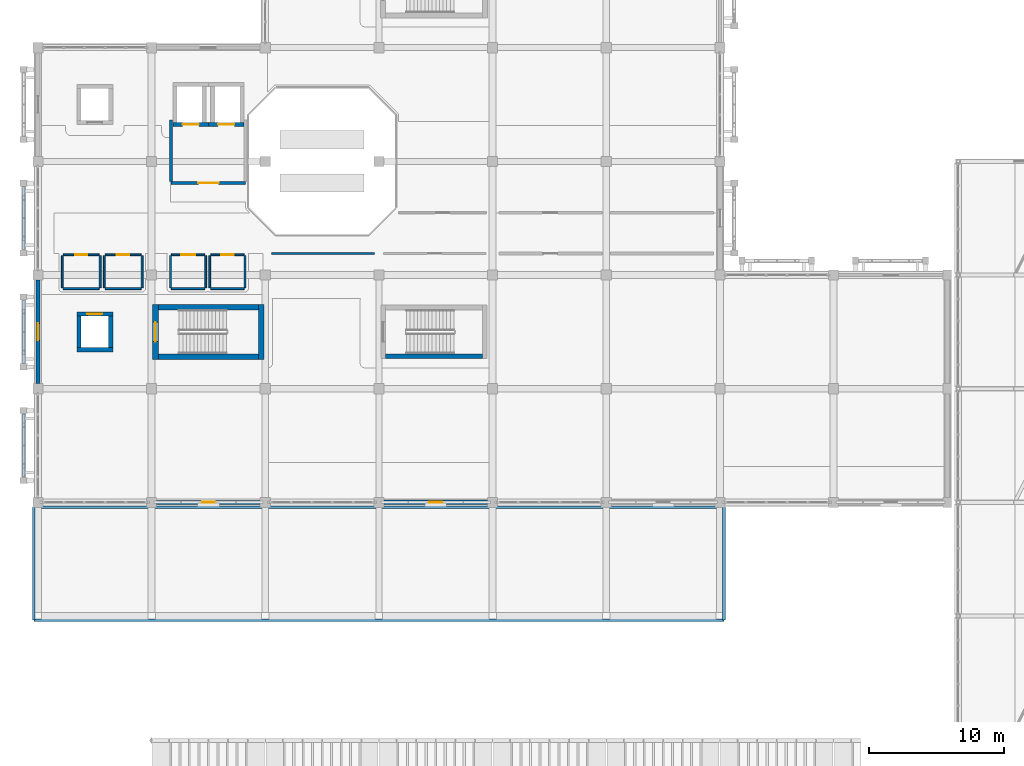
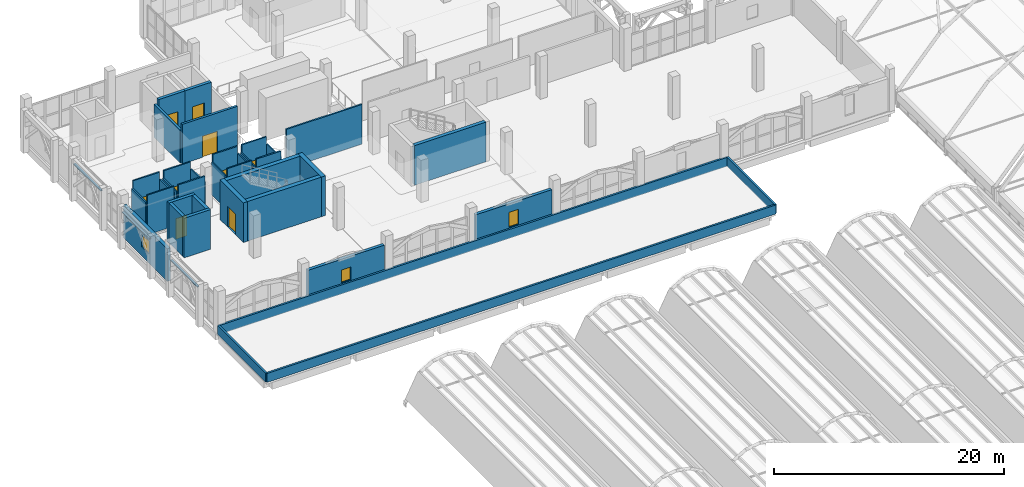
# One storey, part 103 of 114: 40 walls, 9 doors, 3 windows, 12 openings.
"""IFC4 building model written with IfcOpenShell, lengths in metres."""

from ifc_helpers import new_model, si_unit, direction, frame, frame_2d, origin, place, context, subcontext, project, spatial, rectangle, extrude, material, layer, layer_set, type_object, element, fill, save


model = new_model("IFC4")

# Units and contexts
model_context = context("Model", 3, precision=1e-05, world=origin(), true_north=direction((0.0, 1.0)))
body_context = subcontext(model_context, "Body", "Model", "MODEL_VIEW")
ifc_project = project(units=[si_unit("LENGTHUNIT", "METRE"), si_unit("AREAUNIT", "SQUARE_METRE"), si_unit("VOLUMEUNIT", "CUBIC_METRE"), si_unit("PLANEANGLEUNIT", "RADIAN"), si_unit("MASSUNIT", "GRAM", prefix="KILO")], contexts=[model_context])

# Site, building, storey
site_placement = place(None, origin())
site = spatial("IfcSite", under=ifc_project, at=site_placement, CompositionType="ELEMENT")
building_placement = place(site_placement, origin())
building = spatial("IfcBuilding", under=site, at=building_placement, Name="Xazarin Passage Department Store", CompositionType="ELEMENT")
storey_placement = place(building_placement, frame((0.0, 0.0, 14.39990234375)))
storey = spatial("IfcBuildingStorey", under=building, at=storey_placement, Name="L03", CompositionType="ELEMENT", Elevation=14.39990234375)

# Wall, opening, window
ifc_material_1 = material(Name="Precast concrete C40/50", Category="concrete")
ifc_layer_1 = layer(ifc_material_1, 0.300048828125)
ifc_layer_set_1 = layer_set([ifc_layer_1], Name="Precast concrete C40/50")
wall_type_1 = type_object("IfcWallType", Name="ARC-W-EXT300", PredefinedType="SOLIDWALL", material=ifc_layer_set_1)
wall_1_placement = place(storey_placement, frame((8.77490234375, 68.0, 0.0), z_axis=(0.0, 0.0, 1.0), x_axis=(1.0, 0.0, 0.0)))
wall_1 = element("IfcWall", 1, at=wall_1_placement, inside=storey, type_object=wall_type_1, Name="L03 V1 Exterior Wall 035", PredefinedType="SOLIDWALL", context=body_context, shape_type="SweptSolid", body=[
    extrude(rectangle(XDim=7.650146484375, YDim=0.300048828125, at=frame_2d((3.8251953125, 0.0))), origin(), (0.0, 0.0, 1.0), 3.4501953125),
])
opening_1_placement = place(wall_1_placement, frame((3.35009765625, 0.0, 0.949951171875)))
opening_1 = element("IfcOpeningElement", 2, at=opening_1_placement, cuts=wall_1, Name="Opening W01", PredefinedType="OPENING", context=body_context, shape_type="SweptSolid", body=[
    extrude(rectangle(XDim=0.949951171875, YDim=1.35009765625, at=frame_2d((0.47509765625, 0.675048828125))), frame((0.0, 0.159912109375, 0.0), z_axis=(0.0, -1.0, 0.0), x_axis=(1.0, 0.0, 0.0)), (0.0, 0.0, 1.0), 0.320068359375),
])
ifc_material_2 = material(Name="Low-E laminated safety glass", Category="glass")
window_type_1 = type_object("IfcWindowType", Name="ARC-WIN-W01", PartitioningType="SINGLE_PANEL", PredefinedType="WINDOW", material=ifc_material_2)
window_1_placement = place(opening_1_placement, origin())
window_1 = element("IfcWindow", 3, at=window_1_placement, inside=storey, type_object=window_type_1, Name="L03 V1 Facade Window 0001", OverallHeight=1.35009765625, OverallWidth=0.949951171875, PartitioningType="SINGLE_PANEL", PredefinedType="WINDOW", context=body_context, shape_type="SweptSolid", body=[
    extrude(rectangle(XDim=0.949951171875, YDim=1.35009765625, at=frame_2d((0.47509765625, 0.675048828125))), frame((0.0, 0.030029296875, 0.0), z_axis=(0.0, -1.0, 0.0), x_axis=(1.0, 0.0, 0.0)), (0.0, 0.0, 1.0), 0.06005859375),
])
fill(opening_1, window_1)

ifc_material_3 = material(Name="Buff Baku clay brick", Category="masonry")
ifc_layer_2 = layer(ifc_material_3, 0.320068359375)
ifc_layer_set_2 = layer_set([ifc_layer_2], Name="Buff Baku clay brick")
wall_type_2 = type_object("IfcWallType", Name="ARC-W-EXT320", PredefinedType="SOLIDWALL", material=ifc_layer_set_2)
wall_2_placement = place(storey_placement, frame((25.574951171875, 68.0, 0.0), z_axis=(0.0, 0.0, 1.0), x_axis=(1.0, 0.0, 0.0)))
wall_2 = element("IfcWall", 4, at=wall_2_placement, inside=storey, type_object=wall_type_2, Name="L03 V1 Exterior Wall 036", PredefinedType="SOLIDWALL", context=body_context, shape_type="SweptSolid", body=[
    extrude(rectangle(XDim=7.650146484375, YDim=0.320068359375, at=frame_2d((3.8251953125, 0.0))), origin(), (0.0, 0.0, 1.0), 3.4501953125),
])
opening_2_placement = place(wall_2_placement, frame((3.35009765625, 0.0, 0.949951171875)))
opening_2 = element("IfcOpeningElement", 5, at=opening_2_placement, cuts=wall_2, Name="Opening W02", PredefinedType="OPENING", context=body_context, shape_type="SweptSolid", body=[
    extrude(rectangle(XDim=0.949951171875, YDim=1.60009765625, at=frame_2d((0.47509765625, 0.800048828125))), frame((0.0, 0.169921875, 0.0), z_axis=(0.0, -1.0, 0.0), x_axis=(1.0, 0.0, 0.0)), (0.0, 0.0, 1.0), 0.340087890625),
])
window_type_2 = type_object("IfcWindowType", Name="ARC-WIN-W02", PartitioningType="SINGLE_PANEL", PredefinedType="WINDOW", material=ifc_material_2)
window_2_placement = place(opening_2_placement, origin())
window_2 = element("IfcWindow", 6, at=window_2_placement, inside=storey, type_object=window_type_2, Name="L03 V1 Facade Window 0002", OverallHeight=1.60009765625, OverallWidth=0.949951171875, PartitioningType="SINGLE_PANEL", PredefinedType="WINDOW", context=body_context, shape_type="SweptSolid", body=[
    extrude(rectangle(XDim=0.949951171875, YDim=1.60009765625, at=frame_2d((0.47509765625, 0.800048828125))), frame((0.0, 0.030029296875, 0.0), z_axis=(0.0, -1.0, 0.0), x_axis=(1.0, 0.0, 0.0)), (0.0, 0.0, 1.0), 0.06005859375),
])
fill(opening_2, window_2)

wall_3_placement = place(storey_placement, frame((0.0, 76.77490234375, 0.0), z_axis=(0.0, 0.0, 1.0), x_axis=(0.0, 1.0, 0.0)))
wall_3 = element("IfcWall", 7, at=wall_3_placement, inside=storey, type_object=wall_type_2, Name="L03 V1 Exterior Wall 043", PredefinedType="SOLIDWALL", context=body_context, shape_type="SweptSolid", body=[
    extrude(rectangle(XDim=7.650146484375, YDim=0.320068359375, at=frame_2d((3.8251953125, 0.0))), origin(), (0.0, 0.0, 1.0), 3.4501953125),
])
opening_3_placement = place(wall_3_placement, frame((3.199951171875, 0.0, 0.949951171875)))
opening_3 = element("IfcOpeningElement", 8, at=opening_3_placement, cuts=wall_3, Name="Opening W09", PredefinedType="OPENING", context=body_context, shape_type="SweptSolid", body=[
    extrude(rectangle(XDim=1.25, YDim=1.35009765625, at=frame_2d((0.625, 0.675048828125))), frame((0.0, 0.169921875, 0.0), z_axis=(0.0, -1.0, 0.0), x_axis=(1.0, 0.0, 0.0)), (0.0, 0.0, 1.0), 0.340087890625),
])
window_type_3 = type_object("IfcWindowType", Name="ARC-WIN-W09", PartitioningType="SINGLE_PANEL", PredefinedType="WINDOW", material=ifc_material_2)
window_3_placement = place(opening_3_placement, origin())
window_3 = element("IfcWindow", 9, at=window_3_placement, inside=storey, type_object=window_type_3, Name="L03 V1 Facade Window 0009", OverallHeight=1.35009765625, OverallWidth=1.25, PartitioningType="SINGLE_PANEL", PredefinedType="WINDOW", context=body_context, shape_type="SweptSolid", body=[
    extrude(rectangle(XDim=1.25, YDim=1.35009765625, at=frame_2d((0.625, 0.675048828125))), frame((0.0, 0.030029296875, 0.0), z_axis=(0.0, -1.0, 0.0), x_axis=(1.0, 0.0, 0.0)), (0.0, 0.0, 1.0), 0.06005859375),
])
fill(opening_3, window_3)

# Wall, opening, door
ifc_material_4 = material(Name="Concrete C35/45", Category="concrete")
ifc_layer_3 = layer(ifc_material_4, 0.22509765625)
ifc_layer_set_3 = layer_set([ifc_layer_3], Name="Concrete C35/45")
wall_type_3 = type_object("IfcWallType", Name="ARC-W-FIR225", PredefinedType="PARTITIONING", material=ifc_layer_set_3)
wall_4_placement = place(storey_placement, frame((9.85009765625, 91.60009765625, 0.0), z_axis=(0.0, 0.0, 1.0), x_axis=(1.0, 0.0, 0.0)))
wall_4 = element("IfcWall", 10, at=wall_4_placement, inside=storey, type_object=wall_type_3, Name="L03 Firefighting Lift Lobby South Wall 0013", PredefinedType="PARTITIONING", context=body_context, shape_type="SweptSolid", body=[
    extrude(rectangle(XDim=5.5, YDim=0.22509765625, at=frame_2d((2.75, 0.0))), origin(), (0.0, 0.0, 1.0), 4.2001953125),
])
opening_4_placement = place(wall_4_placement, frame((2.0, 0.0, 0.0)))
opening_4 = element("IfcOpeningElement", 11, at=opening_4_placement, cuts=wall_4, Name="Opening FD3", PredefinedType="OPENING", context=body_context, shape_type="SweptSolid", body=[
    extrude(rectangle(XDim=1.5, YDim=2.25, at=frame_2d((0.75, 1.125))), frame((0.0, 0.12255859375, 0.0), z_axis=(0.0, -1.0, 0.0), x_axis=(1.0, 0.0, 0.0)), (0.0, 0.0, 1.0), 0.2451171875),
])
ifc_material_5 = material(Name="Steel S355", Category="steel")
door_type_1 = type_object("IfcDoorType", Name="ARC-DR-FFL150", OperationType="NOTDEFINED", PredefinedType="DOOR", material=ifc_material_5)
door_1_placement = place(opening_4_placement, origin())
door_1 = element("IfcDoor", 12, at=door_1_placement, inside=storey, type_object=door_type_1, Name="DR-INT-L03-0013", OperationType="SINGLE_SWING_RIGHT", OverallHeight=2.25, OverallWidth=1.5, PredefinedType="DOOR", context=body_context, shape_type="SweptSolid", body=[
    extrude(rectangle(XDim=1.5, YDim=2.25, at=frame_2d((0.75, 1.125))), frame((0.0, 0.02490234375, 0.0), z_axis=(0.0, -1.0, 0.0), x_axis=(1.0, 0.0, 0.0)), (0.0, 0.0, 1.0), 0.050048828125),
])
fill(opening_4, door_1)

# Walls
wall_5_placement = place(storey_placement, frame((9.85009765625, 91.7099609375, 0.0), z_axis=(0.0, 0.0, 1.0), x_axis=(0.0, 1.0, 0.0)))
element("IfcWall", 13, at=wall_5_placement, inside=storey, type_object=wall_type_3, Name="L03 Firefighting Lift Lobby West Wall 0014", PredefinedType="PARTITIONING", context=body_context, shape_type="SweptSolid", body=[
    extrude(rectangle(XDim=4.530029296875, YDim=0.22509765625, at=frame_2d((2.26513671875, 0.0))), origin(), (0.0, 0.0, 1.0), 3.5),
])
ifc_layer_4 = layer(ifc_material_1, 0.18994140625)
ifc_layer_set_4 = layer_set([ifc_layer_4], Name="Precast concrete C40/50")
wall_type_4 = type_object("IfcWallType", Name="ARC-W-PAR190", PredefinedType="PARAPET", material=ifc_layer_set_4)
for number, where, z_axis, x_axis, name in (
    (14, (-1.050048828125, 69.8701171875, 3.880126953125), (0.0, 0.0, 1.0), (0.0, 1.0, 0.0), "L03 V1 Pierced-Arch Spandrel Lintel 0045"),
    (15, (-1.050048828125, 78.27001953125, 3.880126953125), (0.0, 0.0, 1.0), (0.0, 1.0, 0.0), "L03 V1 Pierced-Arch Spandrel Lintel 0050"),
):
    element("IfcWall", number, at=place(storey_placement, frame(where, z_axis=z_axis, x_axis=x_axis)), inside=storey, type_object=wall_type_4, Name=name, PredefinedType="PARAPET", context=body_context, shape_type="SweptSolid", body=[
        extrude(rectangle(XDim=4.659912109375, YDim=0.18994140625, at=frame_2d((2.330078125, 0.0))), origin(), (0.0, 0.0, 1.0), 0.119873046875),
    ])
wall_6_placement = place(storey_placement, frame((-1.050048828125, 86.669921875, 3.880126953125), z_axis=(0.0, 0.0, 1.0), x_axis=(0.0, 1.0, 0.0)))
element("IfcWall", 16, at=wall_6_placement, inside=storey, type_object=wall_type_4, Name="L03 V1 Pierced-Arch Spandrel Lintel 0058", PredefinedType="PARAPET", context=body_context, shape_type="SweptSolid", body=[
    extrude(rectangle(XDim=4.66015625, YDim=0.18994140625, at=frame_2d((2.330078125, 0.0))), origin(), (0.0, 0.0, 1.0), 0.119873046875),
])
wall_7_placement = place(storey_placement, frame((50.699951171875, 67.64990234375, 0.0), z_axis=(0.0, 0.0, 1.0), x_axis=(-1.0, 0.0, 0.0)))
element("IfcWall", 17, at=wall_7_placement, inside=storey, type_object=wall_type_4, Name="L03 Roof Parapet 013", PredefinedType="PARAPET", context=body_context, shape_type="SweptSolid", body=[
    extrude(rectangle(XDim=51.0, YDim=0.18994140625, at=frame_2d((25.5, 0.0))), origin(), (0.0, 0.0, 1.0), 0.9501953125),
])
wall_8_placement = place(storey_placement, frame((-0.300048828125, 67.64990234375, 0.0), z_axis=(0.0, 0.0, 1.0), x_axis=(0.0, -1.0, 0.0)))
element("IfcWall", 18, at=wall_8_placement, inside=storey, type_object=wall_type_4, Name="L03 Roof Parapet 014", PredefinedType="PARAPET", context=body_context, shape_type="SweptSolid", body=[
    extrude(rectangle(XDim=8.349853515625, YDim=0.18994140625, at=frame_2d((4.1748046875, 0.0))), origin(), (0.0, 0.0, 1.0), 0.9501953125),
])
wall_9_placement = place(storey_placement, frame((-0.300048828125, 59.300048828125, 0.0), z_axis=(0.0, 0.0, 1.0), x_axis=(1.0, 0.0, 0.0)))
element("IfcWall", 19, at=wall_9_placement, inside=storey, type_object=wall_type_4, Name="L03 Roof Parapet 015", PredefinedType="PARAPET", context=body_context, shape_type="SweptSolid", body=[
    extrude(rectangle(XDim=51.0, YDim=0.18994140625, at=frame_2d((25.5, 0.0))), origin(), (0.0, 0.0, 1.0), 0.9501953125),
])
wall_10_placement = place(storey_placement, frame((50.699951171875, 59.300048828125, 0.0), z_axis=(0.0, 0.0, 1.0), x_axis=(0.0, 1.0, 0.0)))
element("IfcWall", 20, at=wall_10_placement, inside=storey, type_object=wall_type_4, Name="L03 Roof Parapet 016", PredefinedType="PARAPET", context=body_context, shape_type="SweptSolid", body=[
    extrude(rectangle(XDim=8.349853515625, YDim=0.18994140625, at=frame_2d((4.1748046875, 0.0))), origin(), (0.0, 0.0, 1.0), 0.9501953125),
])

# Wall, opening, door
ifc_material_6 = material(Name="Moisture-resistant masonry partition", Category="masonry")
ifc_layer_5 = layer(ifc_material_6, 0.139892578125)
ifc_layer_set_5 = layer_set([ifc_layer_5], Name="Moisture-resistant masonry partition")
wall_type_5 = type_object("IfcWallType", Name="ARC-W-PRT140", PredefinedType="PARTITIONING", material=ifc_layer_set_5)
wall_11_placement = place(storey_placement, frame((1.8701171875, 86.300048828125, 0.0), z_axis=(0.0, 0.0, 1.0), x_axis=(1.0, 0.0, 0.0)))
wall_11 = element("IfcWall", 21, at=wall_11_placement, inside=storey, type_object=wall_type_5, Name="L03 Public Male WC 0197", PredefinedType="PARTITIONING", context=body_context, shape_type="SweptSolid", body=[
    extrude(rectangle(XDim=2.659912109375, YDim=0.139892578125, at=frame_2d((1.330078125, 0.0))), origin(), (0.0, 0.0, 1.0), 4.2001953125),
])
opening_5_placement = place(wall_11_placement, frame((0.8701171875, 0.0, 0.0)))
opening_5 = element("IfcOpeningElement", 22, at=opening_5_placement, cuts=wall_11, Name="Opening ID1", PredefinedType="OPENING", context=body_context, shape_type="SweptSolid", body=[
    extrude(rectangle(XDim=0.919921875, YDim=2.1201171875, at=frame_2d((0.4599609375, 1.06005859375))), frame((0.0, 0.079833984375, 0.0), z_axis=(0.0, -1.0, 0.0), x_axis=(1.0, 0.0, 0.0)), (0.0, 0.0, 1.0), 0.159912109375),
])
ifc_material_7 = material(Name="Timber acoustic leaf", Category="wood")
door_type_2 = type_object("IfcDoorType", Name="ARC-DR-WC092", OperationType="NOTDEFINED", PredefinedType="DOOR", material=ifc_material_7)
door_2_placement = place(opening_5_placement, origin())
door_2 = element("IfcDoor", 23, at=door_2_placement, inside=storey, type_object=door_type_2, Name="DR-INT-L03-0197", OperationType="SINGLE_SWING_LEFT", OverallHeight=2.1201171875, OverallWidth=0.919921875, PredefinedType="DOOR", context=body_context, shape_type="SweptSolid", body=[
    extrude(rectangle(XDim=0.919921875, YDim=2.1201171875, at=frame_2d((0.4599609375, 1.06005859375))), frame((0.0, 0.02490234375, 0.0), z_axis=(0.0, -1.0, 0.0), x_axis=(1.0, 0.0, 0.0)), (0.0, 0.0, 1.0), 0.050048828125),
])
fill(opening_5, door_2)

# Walls
wall_12_placement = place(storey_placement, frame((1.8701171875, 83.800048828125, 0.0), z_axis=(0.0, 0.0, 1.0), x_axis=(1.0, 0.0, 0.0)))
element("IfcWall", 24, at=wall_12_placement, inside=storey, type_object=wall_type_5, Name="L03 Public Male WC Back Wall 0198", PredefinedType="PARTITIONING", context=body_context, shape_type="SweptSolid", body=[
    extrude(rectangle(XDim=2.659912109375, YDim=0.139892578125, at=frame_2d((1.330078125, 0.0))), origin(), (0.0, 0.0, 1.0), 4.2001953125),
])
for number, where, z_axis, x_axis, name in (
    (25, (1.800048828125, 83.8701171875, 0.0), (0.0, 0.0, 1.0), (0.0, 1.0, 0.0), "L03 Public Male WC Side Wall 0199"),
    (26, (4.60009765625, 83.8701171875, 0.0), (0.0, 0.0, 1.0), (0.0, 1.0, 0.0), "L03 Public Male WC Side Wall 0200"),
):
    element("IfcWall", number, at=place(storey_placement, frame(where, z_axis=z_axis, x_axis=x_axis)), inside=storey, type_object=wall_type_5, Name=name, PredefinedType="PARTITIONING", context=body_context, shape_type="SweptSolid", body=[
        extrude(rectangle(XDim=2.35986328125, YDim=0.139892578125, at=frame_2d((1.179931640625, 0.0))), origin(), (0.0, 0.0, 1.0), 3.4501953125),
    ])

# Wall, opening, door
wall_13_placement = place(storey_placement, frame((4.969970703125, 86.300048828125, 0.0), z_axis=(0.0, 0.0, 1.0), x_axis=(1.0, 0.0, 0.0)))
wall_13 = element("IfcWall", 27, at=wall_13_placement, inside=storey, type_object=wall_type_5, Name="L03 Public Female WC 0201", PredefinedType="PARTITIONING", context=body_context, shape_type="SweptSolid", body=[
    extrude(rectangle(XDim=2.659912109375, YDim=0.139892578125, at=frame_2d((1.330078125, 0.0))), origin(), (0.0, 0.0, 1.0), 4.2001953125),
])
opening_6_placement = place(wall_13_placement, frame((0.8701171875, 0.0, 0.0)))
opening_6 = element("IfcOpeningElement", 28, at=opening_6_placement, cuts=wall_13, Name="Opening ID1", PredefinedType="OPENING", context=body_context, shape_type="SweptSolid", body=[
    extrude(rectangle(XDim=0.919921875, YDim=2.1201171875, at=frame_2d((0.4599609375, 1.06005859375))), frame((0.0, 0.079833984375, 0.0), z_axis=(0.0, -1.0, 0.0), x_axis=(1.0, 0.0, 0.0)), (0.0, 0.0, 1.0), 0.159912109375),
])
door_3_placement = place(opening_6_placement, origin())
door_3 = element("IfcDoor", 29, at=door_3_placement, inside=storey, type_object=door_type_2, Name="DR-INT-L03-0201", OperationType="SINGLE_SWING_RIGHT", OverallHeight=2.1201171875, OverallWidth=0.919921875, PredefinedType="DOOR", context=body_context, shape_type="SweptSolid", body=[
    extrude(rectangle(XDim=0.919921875, YDim=2.1201171875, at=frame_2d((0.4599609375, 1.06005859375))), frame((0.0, 0.02490234375, 0.0), z_axis=(0.0, -1.0, 0.0), x_axis=(1.0, 0.0, 0.0)), (0.0, 0.0, 1.0), 0.050048828125),
])
fill(opening_6, door_3)

# Walls
wall_14_placement = place(storey_placement, frame((4.969970703125, 83.800048828125, 0.0), z_axis=(0.0, 0.0, 1.0), x_axis=(1.0, 0.0, 0.0)))
element("IfcWall", 30, at=wall_14_placement, inside=storey, type_object=wall_type_5, Name="L03 Public Female WC Back Wall 0202", PredefinedType="PARTITIONING", context=body_context, shape_type="SweptSolid", body=[
    extrude(rectangle(XDim=2.659912109375, YDim=0.139892578125, at=frame_2d((1.330078125, 0.0))), origin(), (0.0, 0.0, 1.0), 4.2001953125),
])
for number, where, z_axis, x_axis, name in (
    (31, (4.89990234375, 83.8701171875, 0.0), (0.0, 0.0, 1.0), (0.0, 1.0, 0.0), "L03 Public Female WC Side Wall 0203"),
    (32, (7.699951171875, 83.8701171875, 0.0), (0.0, 0.0, 1.0), (0.0, 1.0, 0.0), "L03 Public Female WC Side Wall 0204"),
):
    element("IfcWall", number, at=place(storey_placement, frame(where, z_axis=z_axis, x_axis=x_axis)), inside=storey, type_object=wall_type_5, Name=name, PredefinedType="PARTITIONING", context=body_context, shape_type="SweptSolid", body=[
        extrude(rectangle(XDim=2.35986328125, YDim=0.139892578125, at=frame_2d((1.179931640625, 0.0))), origin(), (0.0, 0.0, 1.0), 3.4501953125),
    ])

# Wall, opening, door
wall_15_placement = place(storey_placement, frame((9.8701171875, 86.300048828125, 0.0), z_axis=(0.0, 0.0, 1.0), x_axis=(1.0, 0.0, 0.0)))
wall_15 = element("IfcWall", 33, at=wall_15_placement, inside=storey, type_object=wall_type_5, Name="L03 Accessible WC 0205", PredefinedType="PARTITIONING", context=body_context, shape_type="SweptSolid", body=[
    extrude(rectangle(XDim=2.4599609375, YDim=0.139892578125, at=frame_2d((1.22998046875, 0.0))), origin(), (0.0, 0.0, 1.0), 4.2001953125),
])
opening_7_placement = place(wall_15_placement, frame((0.719970703125, 0.0, 0.0)))
opening_7 = element("IfcOpeningElement", 34, at=opening_7_placement, cuts=wall_15, Name="Opening ID2", PredefinedType="OPENING", context=body_context, shape_type="SweptSolid", body=[
    extrude(rectangle(XDim=1.02001953125, YDim=2.14990234375, at=frame_2d((0.510009765625, 1.074951171875))), frame((0.0, 0.079833984375, 0.0), z_axis=(0.0, -1.0, 0.0), x_axis=(1.0, 0.0, 0.0)), (0.0, 0.0, 1.0), 0.159912109375),
])
door_type_3 = type_object("IfcDoorType", Name="ARC-DR-AWC102", OperationType="NOTDEFINED", PredefinedType="DOOR", material=ifc_material_7)
door_4_placement = place(opening_7_placement, origin())
door_4 = element("IfcDoor", 35, at=door_4_placement, inside=storey, type_object=door_type_3, Name="DR-INT-L03-0205", OperationType="SINGLE_SWING_LEFT", OverallHeight=2.14990234375, OverallWidth=1.02001953125, PredefinedType="DOOR", context=body_context, shape_type="SweptSolid", body=[
    extrude(rectangle(XDim=1.02001953125, YDim=2.14990234375, at=frame_2d((0.510009765625, 1.074951171875))), frame((0.0, 0.02490234375, 0.0), z_axis=(0.0, -1.0, 0.0), x_axis=(1.0, 0.0, 0.0)), (0.0, 0.0, 1.0), 0.050048828125),
])
fill(opening_7, door_4)

# Walls
wall_16_placement = place(storey_placement, frame((9.8701171875, 83.800048828125, 0.0), z_axis=(0.0, 0.0, 1.0), x_axis=(1.0, 0.0, 0.0)))
element("IfcWall", 36, at=wall_16_placement, inside=storey, type_object=wall_type_5, Name="L03 Accessible WC Back Wall 0206", PredefinedType="PARTITIONING", context=body_context, shape_type="SweptSolid", body=[
    extrude(rectangle(XDim=2.4599609375, YDim=0.139892578125, at=frame_2d((1.22998046875, 0.0))), origin(), (0.0, 0.0, 1.0), 4.2001953125),
])
for number, where, z_axis, x_axis, name in (
    (37, (9.800048828125, 83.8701171875, 0.0), (0.0, 0.0, 1.0), (0.0, 1.0, 0.0), "L03 Accessible WC Side Wall 0207"),
    (38, (12.39990234375, 83.8701171875, 0.0), (0.0, 0.0, 1.0), (0.0, 1.0, 0.0), "L03 Accessible WC Side Wall 0208"),
):
    element("IfcWall", number, at=place(storey_placement, frame(where, z_axis=z_axis, x_axis=x_axis)), inside=storey, type_object=wall_type_5, Name=name, PredefinedType="PARTITIONING", context=body_context, shape_type="SweptSolid", body=[
        extrude(rectangle(XDim=2.35986328125, YDim=0.139892578125, at=frame_2d((1.179931640625, 0.0))), origin(), (0.0, 0.0, 1.0), 3.4501953125),
    ])

# Wall, opening, door
wall_17_placement = place(storey_placement, frame((12.77001953125, 86.300048828125, 0.0), z_axis=(0.0, 0.0, 1.0), x_axis=(1.0, 0.0, 0.0)))
wall_17 = element("IfcWall", 39, at=wall_17_placement, inside=storey, type_object=wall_type_5, Name="L03 Staff WC 0209", PredefinedType="PARTITIONING", context=body_context, shape_type="SweptSolid", body=[
    extrude(rectangle(XDim=2.4599609375, YDim=0.139892578125, at=frame_2d((1.22998046875, 0.0))), origin(), (0.0, 0.0, 1.0), 4.2001953125),
])
opening_8_placement = place(wall_17_placement, frame((0.77001953125, 0.0, 0.0)))
opening_8 = element("IfcOpeningElement", 40, at=opening_8_placement, cuts=wall_17, Name="Opening ID1", PredefinedType="OPENING", context=body_context, shape_type="SweptSolid", body=[
    extrude(rectangle(XDim=0.919921875, YDim=2.1201171875, at=frame_2d((0.4599609375, 1.06005859375))), frame((0.0, 0.079833984375, 0.0), z_axis=(0.0, -1.0, 0.0), x_axis=(1.0, 0.0, 0.0)), (0.0, 0.0, 1.0), 0.159912109375),
])
door_5_placement = place(opening_8_placement, origin())
door_5 = element("IfcDoor", 41, at=door_5_placement, inside=storey, type_object=door_type_2, Name="DR-INT-L03-0209", OperationType="SINGLE_SWING_RIGHT", OverallHeight=2.1201171875, OverallWidth=0.919921875, PredefinedType="DOOR", context=body_context, shape_type="SweptSolid", body=[
    extrude(rectangle(XDim=0.919921875, YDim=2.1201171875, at=frame_2d((0.4599609375, 1.06005859375))), frame((0.0, 0.02490234375, 0.0), z_axis=(0.0, -1.0, 0.0), x_axis=(1.0, 0.0, 0.0)), (0.0, 0.0, 1.0), 0.050048828125),
])
fill(opening_8, door_5)

# Walls
wall_18_placement = place(storey_placement, frame((12.77001953125, 83.800048828125, 0.0), z_axis=(0.0, 0.0, 1.0), x_axis=(1.0, 0.0, 0.0)))
element("IfcWall", 42, at=wall_18_placement, inside=storey, type_object=wall_type_5, Name="L03 Staff WC Back Wall 0210", PredefinedType="PARTITIONING", context=body_context, shape_type="SweptSolid", body=[
    extrude(rectangle(XDim=2.4599609375, YDim=0.139892578125, at=frame_2d((1.22998046875, 0.0))), origin(), (0.0, 0.0, 1.0), 4.2001953125),
])
for number, where, z_axis, x_axis, name in (
    (43, (12.699951171875, 83.8701171875, 0.0), (0.0, 0.0, 1.0), (0.0, 1.0, 0.0), "L03 Staff WC Side Wall 0211"),
    (44, (15.300048828125, 83.8701171875, 0.0), (0.0, 0.0, 1.0), (0.0, 1.0, 0.0), "L03 Staff WC Side Wall 0212"),
):
    element("IfcWall", number, at=place(storey_placement, frame(where, z_axis=z_axis, x_axis=x_axis)), inside=storey, type_object=wall_type_5, Name=name, PredefinedType="PARTITIONING", context=body_context, shape_type="SweptSolid", body=[
        extrude(rectangle(XDim=2.35986328125, YDim=0.139892578125, at=frame_2d((1.179931640625, 0.0))), origin(), (0.0, 0.0, 1.0), 3.4501953125),
    ])
ifc_material_8 = material(Name="Gypsum board acoustic partition")
ifc_layer_6 = layer(ifc_material_8, 0.155029296875)
ifc_layer_set_6 = layer_set([ifc_layer_6], Name="Gypsum board acoustic partition")
wall_type_6 = type_object("IfcWallType", Name="ARC-W-PRT155", PredefinedType="PARTITIONING", material=ifc_layer_set_6)
wall_19_placement = place(storey_placement, frame((17.27001953125, 86.39990234375, 0.0), z_axis=(0.0, 0.0, 1.0), x_axis=(1.0, 0.0, 0.0)))
element("IfcWall", 45, at=wall_19_placement, inside=storey, type_object=wall_type_6, Name="L03 Nursery and Toy Emporium Front Wall 0213", PredefinedType="PARTITIONING", context=body_context, shape_type="SweptSolid", body=[
    extrude(rectangle(XDim=7.60986328125, YDim=0.155029296875, at=frame_2d((3.804931640625, 0.0))), origin(), (0.0, 0.0, 1.0), 4.2001953125),
])

# Wall, opening, door
ifc_material_9 = material(Name="Concrete C40/50", Category="concrete")
ifc_layer_7 = layer(ifc_material_9, 0.31005859375)
ifc_layer_set_7 = layer_set([ifc_layer_7], Name="Concrete C40/50")
wall_type_7 = type_object("IfcWallType", Name="STR-W-LFT310", PredefinedType="SHEAR", material=ifc_layer_set_7)
wall_20_placement = place(storey_placement, frame((9.969970703125, 95.925048828125, 0.0), z_axis=(0.0, 0.0, 1.0), x_axis=(1.0, 0.0, 0.0)))
wall_20 = element("IfcWall", 46, at=wall_20_placement, inside=storey, type_object=wall_type_7, Name="L03 Lift FL1 Shaft Wall South", PredefinedType="SHEAR", context=body_context, shape_type="SweptSolid", body=[
    extrude(rectangle(XDim=2.630126953125, YDim=0.31005859375, at=frame_2d((1.31494140625, 0.0))), origin(), (0.0, 0.0, 1.0), 4.2001953125),
])
opening_9_placement = place(wall_20_placement, frame((0.715087890625, 0.0, 0.0)))
opening_9 = element("IfcOpeningElement", 47, at=opening_9_placement, cuts=wall_20, Name="Opening LD-FL1-L03", PredefinedType="OPENING", context=body_context, shape_type="SweptSolid", body=[
    extrude(rectangle(XDim=1.199951171875, YDim=2.25, at=frame_2d((0.60009765625, 1.125))), frame((0.0, 0.1650390625, 0.0), z_axis=(0.0, -1.0, 0.0), x_axis=(1.0, 0.0, 0.0)), (0.0, 0.0, 1.0), 0.330078125),
])
door_type_4 = type_object("IfcDoorType", Name="ARC-DR-LD120", OperationType="NOTDEFINED", PredefinedType="DOOR", material=ifc_material_5)
door_6_placement = place(opening_9_placement, origin())
door_6 = element("IfcDoor", 48, at=door_6_placement, inside=storey, type_object=door_type_4, Name="DR-LD-FL1-L03", OperationType="SLIDING_TO_LEFT", OverallHeight=2.25, OverallWidth=1.199951171875, PredefinedType="DOOR", context=body_context, shape_type="SweptSolid", body=[
    extrude(rectangle(XDim=1.199951171875, YDim=2.25, at=frame_2d((0.60009765625, 1.125))), frame((0.0, 0.02490234375, 0.0), z_axis=(0.0, -1.0, 0.0), x_axis=(1.0, 0.0, 0.0)), (0.0, 0.0, 1.0), 0.050048828125),
])
fill(opening_9, door_6)

wall_21_placement = place(storey_placement, frame((12.60009765625, 95.925048828125, 0.0), z_axis=(0.0, 0.0, 1.0), x_axis=(1.0, 0.0, 0.0)))
wall_21 = element("IfcWall", 49, at=wall_21_placement, inside=storey, type_object=wall_type_7, Name="L03 Lift FL2 Shaft Wall South", PredefinedType="SHEAR", context=body_context, shape_type="SweptSolid", body=[
    extrude(rectangle(XDim=2.6298828125, YDim=0.31005859375, at=frame_2d((1.31494140625, 0.0))), origin(), (0.0, 0.0, 1.0), 4.2001953125),
])
opening_10_placement = place(wall_21_placement, frame((0.715087890625, 0.0, 0.0)))
opening_10 = element("IfcOpeningElement", 50, at=opening_10_placement, cuts=wall_21, Name="Opening LD-FL2-L03", PredefinedType="OPENING", context=body_context, shape_type="SweptSolid", body=[
    extrude(rectangle(XDim=1.199951171875, YDim=2.25, at=frame_2d((0.60009765625, 1.125))), frame((0.0, 0.1650390625, 0.0), z_axis=(0.0, -1.0, 0.0), x_axis=(1.0, 0.0, 0.0)), (0.0, 0.0, 1.0), 0.330078125),
])
door_7_placement = place(opening_10_placement, origin())
door_7 = element("IfcDoor", 51, at=door_7_placement, inside=storey, type_object=door_type_4, Name="DR-LD-FL2-L03", OperationType="SLIDING_TO_LEFT", OverallHeight=2.25, OverallWidth=1.199951171875, PredefinedType="DOOR", context=body_context, shape_type="SweptSolid", body=[
    extrude(rectangle(XDim=1.199951171875, YDim=2.25, at=frame_2d((0.60009765625, 1.125))), frame((0.0, 0.02490234375, 0.0), z_axis=(0.0, -1.0, 0.0), x_axis=(1.0, 0.0, 0.0)), (0.0, 0.0, 1.0), 0.050048828125),
])
fill(opening_10, door_7)

# Wall
wall_22_placement = place(storey_placement, frame((2.8701171875, 79.27490234375, 0.0), z_axis=(0.0, 0.0, 1.0), x_axis=(1.0, 0.0, 0.0)))
element("IfcWall", 52, at=wall_22_placement, inside=storey, type_object=wall_type_7, Name="L03 Lift PL1 Shaft Wall South", PredefinedType="SHEAR", context=body_context, shape_type="SweptSolid", body=[
    extrude(rectangle(XDim=2.659912109375, YDim=0.31005859375, at=frame_2d((1.330078125, 0.0))), origin(), (0.0, 0.0, 1.0), 4.2001953125),
])

# Wall, opening, door
wall_23_placement = place(storey_placement, frame((2.8701171875, 81.925048828125, 0.0), z_axis=(0.0, 0.0, 1.0), x_axis=(1.0, 0.0, 0.0)))
wall_23 = element("IfcWall", 53, at=wall_23_placement, inside=storey, type_object=wall_type_7, Name="L03 Lift PL1 Shaft Wall North", PredefinedType="SHEAR", context=body_context, shape_type="SweptSolid", body=[
    extrude(rectangle(XDim=2.659912109375, YDim=0.31005859375, at=frame_2d((1.330078125, 0.0))), origin(), (0.0, 0.0, 1.0), 4.2001953125),
])
opening_11_placement = place(wall_23_placement, frame((0.780029296875, 0.0, 0.0)))
opening_11 = element("IfcOpeningElement", 54, at=opening_11_placement, cuts=wall_23, Name="Opening LD-PL1-L03", PredefinedType="OPENING", context=body_context, shape_type="SweptSolid", body=[
    extrude(rectangle(XDim=1.10009765625, YDim=2.199951171875, at=frame_2d((0.550048828125, 1.10009765625))), frame((0.0, 0.1650390625, 0.0), z_axis=(0.0, -1.0, 0.0), x_axis=(1.0, 0.0, 0.0)), (0.0, 0.0, 1.0), 0.330078125),
])
door_type_5 = type_object("IfcDoorType", Name="ARC-DR-LD110", OperationType="NOTDEFINED", PredefinedType="DOOR", material=ifc_material_5)
door_8_placement = place(opening_11_placement, origin())
door_8 = element("IfcDoor", 55, at=door_8_placement, inside=storey, type_object=door_type_5, Name="DR-LD-PL1-L03", OperationType="SLIDING_TO_LEFT", OverallHeight=2.199951171875, OverallWidth=1.10009765625, PredefinedType="DOOR", context=body_context, shape_type="SweptSolid", body=[
    extrude(rectangle(XDim=1.10009765625, YDim=2.199951171875, at=frame_2d((0.550048828125, 1.10009765625))), frame((0.0, 0.02490234375, 0.0), z_axis=(0.0, -1.0, 0.0), x_axis=(1.0, 0.0, 0.0)), (0.0, 0.0, 1.0), 0.050048828125),
])
fill(opening_11, door_8)

# Walls
for number, where, z_axis, x_axis, name in (
    (56, (3.02490234375, 79.429931640625, 0.0), (0.0, 0.0, 1.0), (0.0, 1.0, 0.0), "L03 Lift PL1 Shaft Wall West"),
    (57, (5.375, 79.429931640625, 0.0), (0.0, 0.0, 1.0), (0.0, 1.0, 0.0), "L03 Lift PL1 Shaft Wall East"),
):
    element("IfcWall", number, at=place(storey_placement, frame(where, z_axis=z_axis, x_axis=x_axis)), inside=storey, type_object=wall_type_7, Name=name, PredefinedType="SHEAR", context=body_context, shape_type="SweptSolid", body=[
        extrude(rectangle(XDim=2.340087890625, YDim=0.31005859375, at=frame_2d((1.169921875, 0.0))), origin(), (0.0, 0.0, 1.0), 4.2001953125),
    ])
ifc_layer_8 = layer(ifc_material_9, 0.35009765625)
ifc_layer_set_8 = layer_set([ifc_layer_8], Name="Concrete C40/50")
wall_type_8 = type_object("IfcWallType", Name="STR-W-SHR350", PredefinedType="SHEAR", material=ifc_layer_set_8)
wall_24_placement = place(storey_placement, frame((25.699951171875, 78.804931640625, 0.0), z_axis=(0.0, 0.0, 1.0), x_axis=(1.0, 0.0, 0.0)))
element("IfcWall", 58, at=wall_24_placement, inside=storey, type_object=wall_type_8, Name="L03 Core K3 South Shear Wall", PredefinedType="SHEAR", context=body_context, shape_type="SweptSolid", body=[
    extrude(rectangle(XDim=7.150146484375, YDim=0.35009765625, at=frame_2d((3.5751953125, 0.0))), origin(), (0.0, 0.0, 1.0), 4.2001953125),
])

# Wall, opening, door
ifc_layer_9 = layer(ifc_material_9, 0.419921875)
ifc_layer_set_9 = layer_set([ifc_layer_9], Name="Concrete C40/50")
wall_type_9 = type_object("IfcWallType", Name="STR-W-SHR420", PredefinedType="SHEAR", material=ifc_layer_set_9)
wall_25_placement = place(storey_placement, frame((8.68994140625, 82.639892578125, 0.0), z_axis=(0.0, 0.0, 1.0), x_axis=(0.0, -1.0, 0.0)))
wall_25 = element("IfcWall", 59, at=wall_25_placement, inside=storey, type_object=wall_type_9, Name="L03 Core K1 West Shear Wall", PredefinedType="SHEAR", context=body_context, shape_type="SweptSolid", body=[
    extrude(rectangle(XDim=4.079833984375, YDim=0.419921875, at=frame_2d((2.0400390625, 0.0))), origin(), (0.0, 0.0, 1.0), 4.2001953125),
])
opening_12_placement = place(wall_25_placement, frame((1.31494140625, 0.0, 0.0)))
opening_12 = element("IfcOpeningElement", 60, at=opening_12_placement, cuts=wall_25, Name="Opening FD1", PredefinedType="OPENING", context=body_context, shape_type="SweptSolid", body=[
    extrude(rectangle(XDim=1.449951171875, YDim=2.199951171875, at=frame_2d((0.72509765625, 1.10009765625))), frame((0.0, 0.219970703125, 0.0), z_axis=(0.0, -1.0, 0.0), x_axis=(1.0, 0.0, 0.0)), (0.0, 0.0, 1.0), 0.43994140625),
])
door_type_6 = type_object("IfcDoorType", Name="ARC-DR-STR145", OperationType="NOTDEFINED", PredefinedType="DOOR", material=ifc_material_5)
door_9_placement = place(opening_12_placement, origin())
door_9 = element("IfcDoor", 61, at=door_9_placement, inside=storey, type_object=door_type_6, Name="DR-STR-K1-L03", OperationType="SINGLE_SWING_LEFT", OverallHeight=2.199951171875, OverallWidth=1.449951171875, PredefinedType="DOOR", context=body_context, shape_type="SweptSolid", body=[
    extrude(rectangle(XDim=1.449951171875, YDim=2.199951171875, at=frame_2d((0.72509765625, 1.10009765625))), frame((0.0, 0.02490234375, 0.0), z_axis=(0.0, -1.0, 0.0), x_axis=(1.0, 0.0, 0.0)), (0.0, 0.0, 1.0), 0.050048828125),
])
fill(opening_12, door_9)

# Walls
wall_26_placement = place(storey_placement, frame((16.510009765625, 78.56005859375, 0.0), z_axis=(0.0, 0.0, 1.0), x_axis=(0.0, 1.0, 0.0)))
element("IfcWall", 62, at=wall_26_placement, inside=storey, type_object=wall_type_9, Name="L03 Core K1 East Shear Wall", PredefinedType="SHEAR", context=body_context, shape_type="SweptSolid", body=[
    extrude(rectangle(XDim=4.079833984375, YDim=0.419921875, at=frame_2d((2.0400390625, 0.0))), origin(), (0.0, 0.0, 1.0), 4.2001953125),
])
for number, where, z_axis, x_axis, name in (
    (63, (8.89990234375, 78.77001953125, 0.0), (0.0, 0.0, 1.0), (1.0, 0.0, 0.0), "L03 Core K1 South Shear Wall"),
    (64, (8.89990234375, 82.429931640625, 0.0), (0.0, 0.0, 1.0), (1.0, 0.0, 0.0), "L03 Core K1 North Shear Wall"),
):
    element("IfcWall", number, at=place(storey_placement, frame(where, z_axis=z_axis, x_axis=x_axis)), inside=storey, type_object=wall_type_9, Name=name, PredefinedType="SHEAR", context=body_context, shape_type="SweptSolid", body=[
        extrude(rectangle(XDim=7.400146484375, YDim=0.419921875, at=frame_2d((3.7001953125, 0.0))), origin(), (0.0, 0.0, 1.0), 4.2001953125),
    ])

save(model, "model.ifc")
